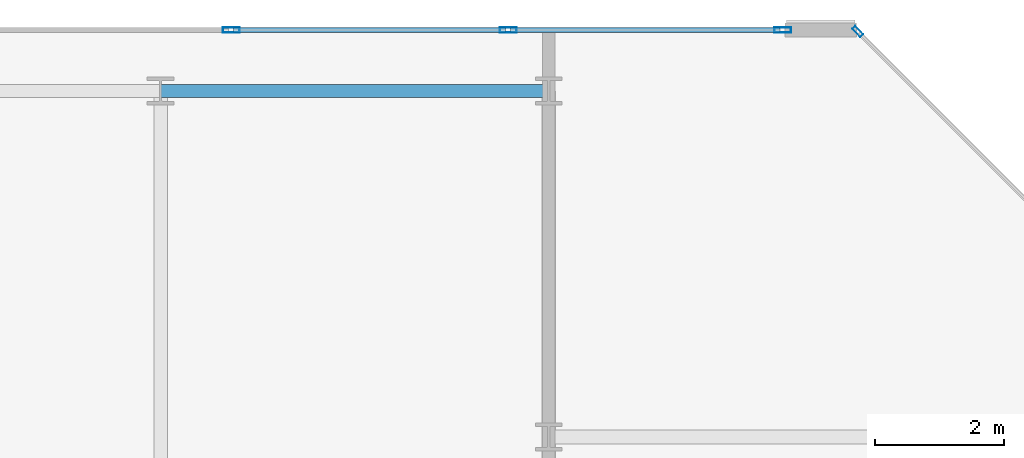
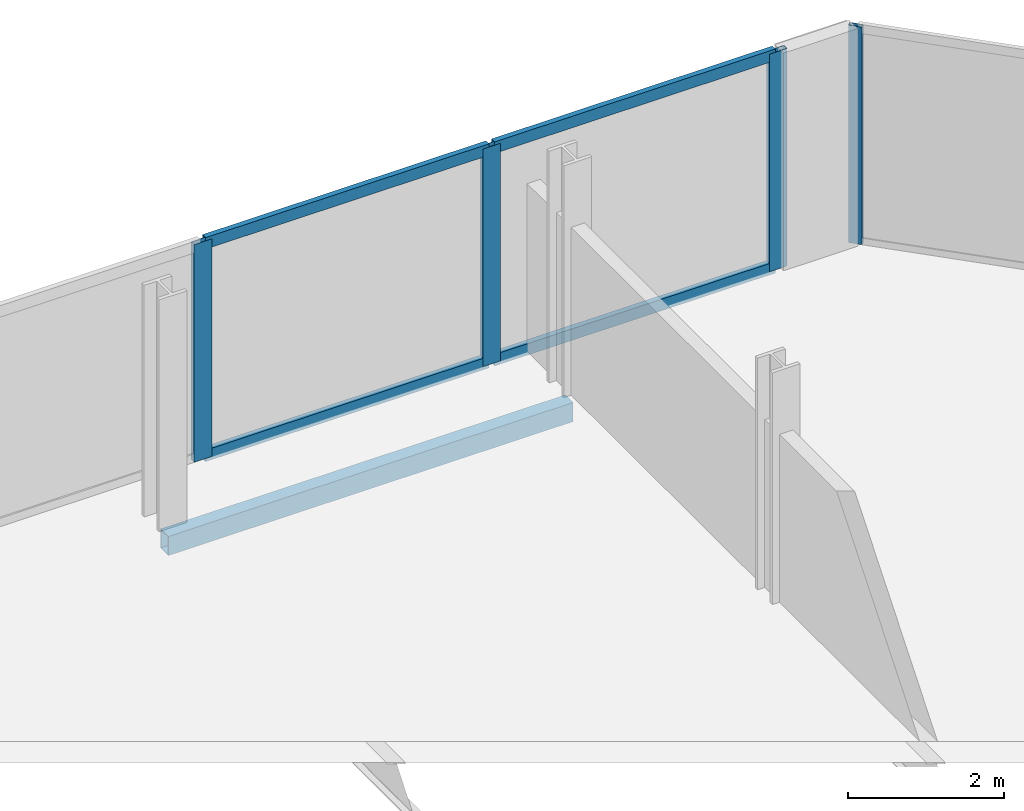
# One storey, part 12 of 16: 8 members, 1 beam, 2 elements without a shape of their own.
"""IFC4 building model written with IfcOpenShell, lengths in metres."""

from ifc_helpers import new_model, si_unit, direction, frame, origin, origin_2d, place, context, subcontext, project, spatial, hollow_rectangle, extrude, material, layer, layer_set, material_profile, profile_set, type_object, element, aggregate, save


model = new_model("IFC4")

# Units and contexts
model_context = context("Model", 3, precision=1e-05, world=origin(), true_north=direction((0.0, 1.0)))
body_context = subcontext(model_context, "Body", "Model", "MODEL_VIEW")
ifc_project = project(units=[si_unit("LENGTHUNIT", "METRE"), si_unit("AREAUNIT", "SQUARE_METRE"), si_unit("VOLUMEUNIT", "CUBIC_METRE"), si_unit("PLANEANGLEUNIT", "RADIAN"), si_unit("MASSUNIT", "GRAM", prefix="KILO")], contexts=[model_context])

# Site, building, storey
site_placement = place(None, origin())
site = spatial("IfcSite", under=ifc_project, at=site_placement, CompositionType="ELEMENT")
building_placement = place(site_placement, origin())
building = spatial("IfcBuilding", under=site, at=building_placement, Name="Tanjung Sevakor Pilgrim Tower", CompositionType="ELEMENT")
storey_placement = place(building_placement, frame((0.0, 0.0, 271.590087890625)))
storey = spatial("IfcBuildingStorey", under=building, at=storey_placement, Name="L76", CompositionType="ELEMENT", Elevation=271.590087890625)

# Beam
ifc_material_1 = material(Name="Steel S355J2", Category="steel")
ifc_material_profile_1 = material_profile(ifc_material_1, hollow_rectangle(XDim=0.199951171875, YDim=0.300048828125, WallThickness=0.012451171875, at=origin_2d()))
ifc_profile_set_1 = profile_set([ifc_material_profile_1], Name="Steel S355J2")
beam_type = type_object("IfcBeamType", Name="BM-B-SP3-RHS_300x200x12.5", PredefinedType="SPANDREL", material=ifc_profile_set_1)
beam_placement = place(storey_placement, frame((84.0, 53.949951171875, -0.3701171875), z_axis=(1.0, 0.0, 0.0), x_axis=(0.0, 1.0, 0.0)))
element("IfcBeam", 1, at=beam_placement, inside=storey, type_object=beam_type, Name="L76 Spandrel EAST N-06", PredefinedType="SPANDREL", context=body_context, shape_type="SweptSolid", body=[
    extrude(hollow_rectangle(XDim=0.199951171875, YDim=0.300048828125, WallThickness=0.012451171875, at=origin_2d()), origin(), (0.0, 0.0, 1.0), 6.0),
])

# Curtain wall, member
ifc_material_2 = material(Name="Aluminium 6063-T6 and Low-E Glass", Category="aluminium")
ifc_layer_1 = layer(ifc_material_2, 0.179931640625)
ifc_layer_set_1 = layer_set([ifc_layer_1], Name="CW-SYS-CHAM")
curtain_wall_type_1 = type_object("IfcCurtainWallType", Name="CW-SYS-CHAM", PredefinedType="NOTDEFINED", material=ifc_layer_set_1)
curtain_wall_1_placement = place(storey_placement, origin())
curtain_wall_1 = element("IfcCurtainWall", 2, at=curtain_wall_1_placement, inside=storey, type_object=curtain_wall_type_1, Name="L76 Curtain Wall CW-CHM-L76-EAST-3", PredefinedType="NOTDEFINED")
ifc_material_3 = material(Name="Aluminium 6063-T6", Category="aluminium")
ifc_material_profile_2 = material_profile(ifc_material_3, hollow_rectangle(XDim=0.06494140625, YDim=0.179931640625, WallThickness=0.00390625, at=origin_2d()))
ifc_profile_set_2 = profile_set([ifc_material_profile_2], Name="Aluminium 6063-T6")
member_type_1 = type_object("IfcMemberType", Name="TYPE-CWM-1", PredefinedType="MULLION", material=ifc_profile_set_2)
member_1_placement = place(storey_placement, frame((94.77734375, 54.866943359375, 0.0), z_axis=(0.0, 0.0, 1.0), x_axis=(-0.707106781187, -0.707106781187, 0.0)))
member_1 = element("IfcMember", 3, at=member_1_placement, type_object=member_type_1, Name="CW-CHM mullion 2", PredefinedType="MULLION", context=body_context, shape_type="SweptSolid", body=[
    extrude(hollow_rectangle(XDim=0.06494140625, YDim=0.179931640625, WallThickness=0.00390625, at=origin_2d()), origin(), (0.0, 0.0, 1.0), 3.409912109375),
])
aggregate(curtain_wall_1, [member_1])

# Curtain wall, members
ifc_material_4 = material(Name="Aluminium 6063-T6 and Low-E Glass", Category="aluminium")
ifc_layer_2 = layer(ifc_material_4, 0.219970703125)
ifc_layer_set_2 = layer_set([ifc_layer_2], Name="CW-SYS-CRNE")
curtain_wall_type_2 = type_object("IfcCurtainWallType", Name="CW-SYS-CRNE", PredefinedType="NOTDEFINED", material=ifc_layer_set_2)
curtain_wall_2_placement = place(storey_placement, origin())
curtain_wall_2 = element("IfcCurtainWall", 4, at=curtain_wall_2_placement, inside=storey, type_object=curtain_wall_type_2, Name="L76 Curtain Wall CW-CRN-L76-EAST-4-1", PredefinedType="NOTDEFINED")
ifc_material_5 = material(Name="Aluminium 6063-T6", Category="aluminium")
ifc_material_profile_3 = material_profile(ifc_material_5, hollow_rectangle(XDim=0.080078125, YDim=0.260009765625, WallThickness=0.0048828125, at=origin_2d()))
ifc_profile_set_3 = profile_set([ifc_material_profile_3], Name="Aluminium 6063-T6")
member_type_2 = type_object("IfcMemberType", Name="TYPE-CWM-3", PredefinedType="MULLION", material=ifc_profile_set_3)
member_2_placement = place(storey_placement, frame((93.614501953125, 54.889892578125, 0.0), z_axis=(0.0, 0.0, 1.0), x_axis=(0.0, -1.0, 0.0)))
member_2 = element("IfcMember", 5, at=member_2_placement, type_object=member_type_2, Name="CW-CRE mullion 1", PredefinedType="MULLION", context=body_context, shape_type="SweptSolid", body=[
    extrude(hollow_rectangle(XDim=0.080078125, YDim=0.260009765625, WallThickness=0.0048828125, at=origin_2d()), origin(), (0.0, 0.0, 1.0), 3.409912109375),
])
member_3_placement = place(storey_placement, frame((89.37255859375, 54.889892578125, 0.0), z_axis=(0.0, 0.0, 1.0), x_axis=(0.0, -1.0, 0.0)))
member_3 = element("IfcMember", 6, at=member_3_placement, type_object=member_type_2, Name="CW-CRE mullion 2", PredefinedType="MULLION", context=body_context, shape_type="SweptSolid", body=[
    extrude(hollow_rectangle(XDim=0.080078125, YDim=0.260009765625, WallThickness=0.0048828125, at=origin_2d()), origin(), (0.0, 0.0, 1.0), 3.409912109375),
])
member_4_placement = place(storey_placement, frame((85.0908203125, 54.889892578125, 0.0), z_axis=(0.0, 0.0, 1.0), x_axis=(0.0, -1.0, 0.0)))
member_4 = element("IfcMember", 7, at=member_4_placement, type_object=member_type_2, Name="CW-CRE mullion 3", PredefinedType="MULLION", context=body_context, shape_type="SweptSolid", body=[
    extrude(hollow_rectangle(XDim=0.080078125, YDim=0.260009765625, WallThickness=0.0048828125, at=origin_2d()), origin(), (0.0, 0.0, 1.0), 3.409912109375),
])
ifc_material_6 = material(Name="Aluminium 6063-T6", Category="aluminium")
ifc_material_profile_4 = material_profile(ifc_material_6, hollow_rectangle(XDim=0.080078125, YDim=0.179931640625, WallThickness=0.0048828125, at=origin_2d()))
ifc_profile_set_4 = profile_set([ifc_material_profile_4], Name="Aluminium 6063-T6")
member_type_3 = type_object("IfcMemberType", Name="TYPE-CWT-3", PredefinedType="USERDEFINED", material=ifc_profile_set_4)
member_5_placement = place(storey_placement, frame((93.574462890625, 54.889892578125, 0.039794921875), z_axis=(-1.0, 0.0, 0.0), x_axis=(0.0, -1.0, 0.0)))
member_5 = element("IfcMember", 8, at=member_5_placement, type_object=member_type_3, Name="CW-CRE transom 1.1", ObjectType="TRANSOM", PredefinedType="USERDEFINED", context=body_context, shape_type="SweptSolid", body=[
    extrude(hollow_rectangle(XDim=0.080078125, YDim=0.179931640625, WallThickness=0.0048828125, at=origin_2d()), origin(), (0.0, 0.0, 1.0), 4.161865234375),
])
member_6_placement = place(storey_placement, frame((93.574462890625, 54.889892578125, 3.369873046875), z_axis=(-1.0, 0.0, 0.0), x_axis=(0.0, -1.0, 0.0)))
member_6 = element("IfcMember", 9, at=member_6_placement, type_object=member_type_3, Name="CW-CRE transom 1.2", ObjectType="TRANSOM", PredefinedType="USERDEFINED", context=body_context, shape_type="SweptSolid", body=[
    extrude(hollow_rectangle(XDim=0.080078125, YDim=0.179931640625, WallThickness=0.0048828125, at=origin_2d()), origin(), (0.0, 0.0, 1.0), 4.161865234375),
])
member_7_placement = place(storey_placement, frame((89.33251953125, 54.889892578125, 0.039794921875), z_axis=(-1.0, 0.0, 0.0), x_axis=(0.0, -1.0, 0.0)))
member_7 = element("IfcMember", 10, at=member_7_placement, type_object=member_type_3, Name="CW-CRE transom 2.1", ObjectType="TRANSOM", PredefinedType="USERDEFINED", context=body_context, shape_type="SweptSolid", body=[
    extrude(hollow_rectangle(XDim=0.080078125, YDim=0.179931640625, WallThickness=0.0048828125, at=origin_2d()), origin(), (0.0, 0.0, 1.0), 4.20166015625),
])
member_8_placement = place(storey_placement, frame((89.33251953125, 54.889892578125, 3.369873046875), z_axis=(-1.0, 0.0, 0.0), x_axis=(0.0, -1.0, 0.0)))
member_8 = element("IfcMember", 11, at=member_8_placement, type_object=member_type_3, Name="CW-CRE transom 2.2", ObjectType="TRANSOM", PredefinedType="USERDEFINED", context=body_context, shape_type="SweptSolid", body=[
    extrude(hollow_rectangle(XDim=0.080078125, YDim=0.179931640625, WallThickness=0.0048828125, at=origin_2d()), origin(), (0.0, 0.0, 1.0), 4.20166015625),
])
aggregate(curtain_wall_2, [member_2, member_3, member_4, member_5, member_6, member_7, member_8])

save(model, "model.ifc")
